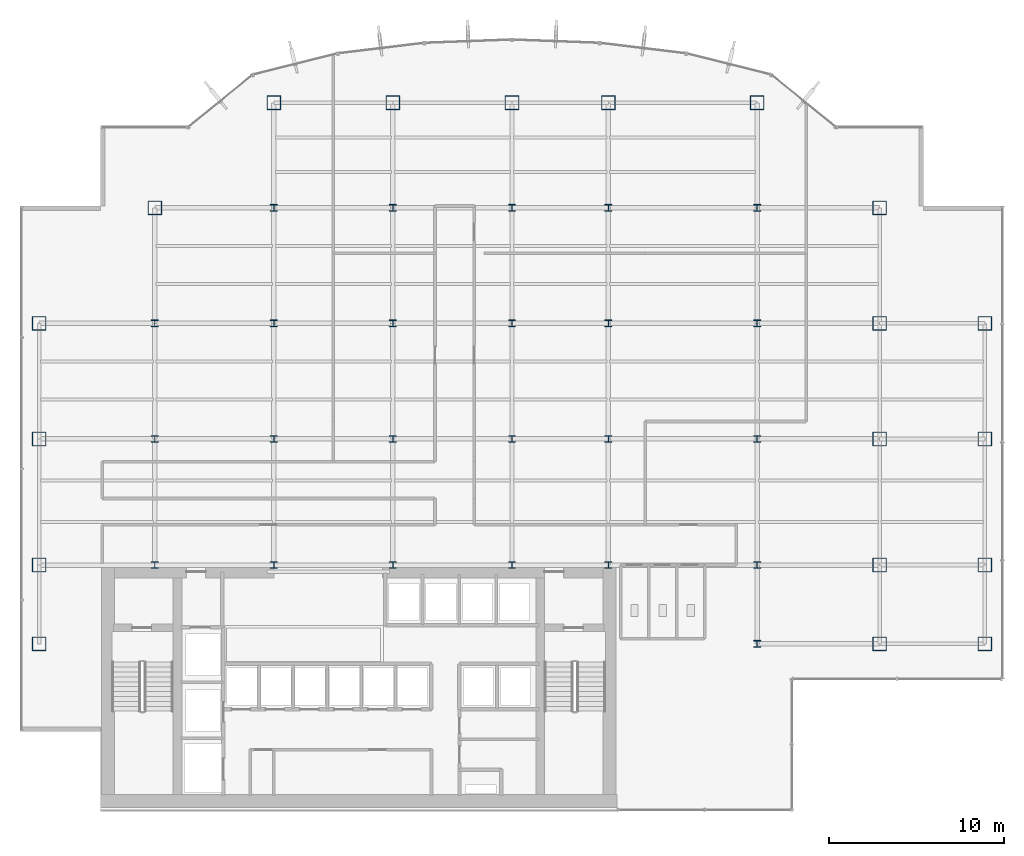
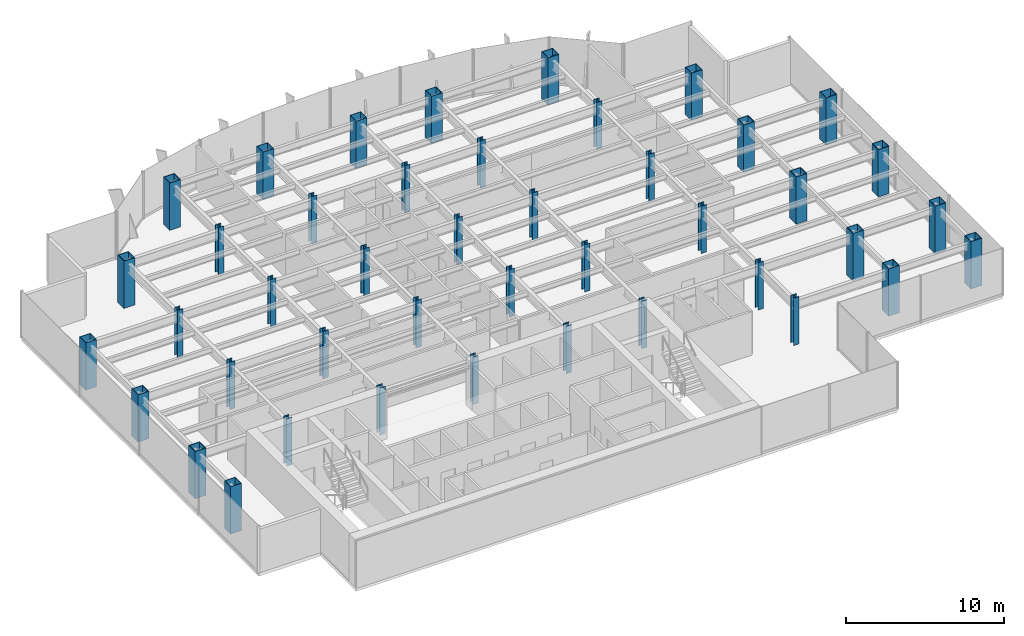
# One storey, part 1 of 26: 43 columns.
"""IFC4 building model written with IfcOpenShell, lengths in metres."""

from ifc_helpers import new_model, si_unit, derived_unit, direction, frame, origin, origin_2d, place, context, subcontext, project, spatial, hollow_rectangle, i_section, extrude, source, transform, mapped, material, material_profile, profile_set, type_object, element, save


model = new_model("IFC4")

# Units and contexts
model_context = context("Model", 3, precision=1e-05, world=origin(), true_north=direction((0.0, 1.0)))
body_context = subcontext(model_context, "Body", "Model", "MODEL_VIEW")
ifc_project = project(units=[si_unit("LENGTHUNIT", "METRE"), si_unit("AREAUNIT", "SQUARE_METRE"), si_unit("VOLUMEUNIT", "CUBIC_METRE"), si_unit("PLANEANGLEUNIT", "RADIAN"), si_unit("MASSUNIT", "GRAM", prefix="KILO"), derived_unit("THERMALTRANSMITTANCEUNIT", [(si_unit("POWERUNIT", "WATT"), 1), (si_unit("LENGTHUNIT", "METRE"), -2), (si_unit("THERMODYNAMICTEMPERATUREUNIT", "KELVIN"), -1)])], contexts=[model_context])

# Site, building, storey
site_placement = place(None, origin())
site = spatial("IfcSite", under=ifc_project, at=site_placement, CompositionType="ELEMENT")
building_placement = place(site_placement, origin())
building = spatial("IfcBuilding", under=site, at=building_placement, Name="Skarnbrae Concourse Arena and Tower", CompositionType="ELEMENT")
storey_placement = place(building_placement, frame((0.0, 0.0, 132.449951171875)))
storey = spatial("IfcBuildingStorey", under=building, at=storey_placement, Name="L33", CompositionType="ELEMENT", Elevation=132.449951171875)

# Columns
ifc_material = material(Name="Steel CSA G40.21 350W", Category="steel")
ifc_material_profile_1 = material_profile(ifc_material, hollow_rectangle(XDim=0.800048828125, YDim=0.800048828125, WallThickness=0.0400390625, at=origin_2d()), Name="BOX800X800X40")
ifc_profile_set_1 = profile_set([ifc_material_profile_1], Name="Steel CSA G40.21 350W")
column_type_1 = type_object("IfcColumnType", Name="COL-TUBE-BOX800", PredefinedType="COLUMN", material=ifc_profile_set_1)
shared_shape_1 = source(origin(), body_context, "Body", "SweptSolid", [
    extrude(hollow_rectangle(XDim=0.800048828125, YDim=0.800048828125, WallThickness=0.0400390625, at=origin_2d()), origin(), (0.0, 0.0, 1.0), 3.650146484375),
])
for number, where, z_axis, x_axis, name in (
    (1, (1.0, 9.5, 0.0), (0.0, 0.0, 1.0), (1.0, 0.0, 0.0), "L33 Tower column PC_01_01"),
    (2, (1.0, 14.0, 0.0), (0.0, 0.0, 1.0), (1.0, 0.0, 0.0), "L33 Tower column PC_01_02"),
    (3, (1.0, 21.199951171875, 0.0), (0.0, 0.0, 1.0), (1.0, 0.0, 0.0), "L33 Tower column PC_01_03"),
    (4, (1.0, 27.800048828125, 0.0), (0.0, 0.0, 1.0), (1.0, 0.0, 0.0), "L33 Tower column PC_01_04"),
    (5, (7.60009765625, 34.39990234375, 0.0), (0.0, 0.0, 1.0), (1.0, 0.0, 0.0), "L33 Tower column PC_02_05"),
    (6, (14.39990234375, 40.39990234375, 0.0), (0.0, 0.0, 1.0), (1.0, 0.0, 0.0), "L33 Tower column PC_03_06"),
    (7, (21.199951171875, 40.39990234375, 0.0), (0.0, 0.0, 1.0), (1.0, 0.0, 0.0), "L33 Tower column PC_04_06"),
    (8, (28.0, 40.39990234375, 0.0), (0.0, 0.0, 1.0), (1.0, 0.0, 0.0), "L33 Tower column PC_05_06"),
    (9, (33.5, 40.39990234375, 0.0), (0.0, 0.0, 1.0), (1.0, 0.0, 0.0), "L33 Tower column PC_06_06"),
    (10, (42.0, 40.39990234375, 0.0), (0.0, 0.0, 1.0), (1.0, 0.0, 0.0), "L33 Tower column PC_07_06"),
    (11, (49.0, 9.5, 0.0), (0.0, 0.0, 1.0), (1.0, 0.0, 0.0), "L33 Tower column PC_08_01"),
    (12, (49.0, 14.0, 0.0), (0.0, 0.0, 1.0), (1.0, 0.0, 0.0), "L33 Tower column PC_08_02"),
    (13, (49.0, 21.199951171875, 0.0), (0.0, 0.0, 1.0), (1.0, 0.0, 0.0), "L33 Tower column PC_08_03"),
    (14, (49.0, 27.800048828125, 0.0), (0.0, 0.0, 1.0), (1.0, 0.0, 0.0), "L33 Tower column PC_08_04"),
    (15, (49.0, 34.39990234375, 0.0), (0.0, 0.0, 1.0), (1.0, 0.0, 0.0), "L33 Tower column PC_08_05"),
    (16, (55.0, 9.5, 0.0), (0.0, 0.0, 1.0), (1.0, 0.0, 0.0), "L33 Tower column PC_09_01"),
    (17, (55.0, 14.0, 0.0), (0.0, 0.0, 1.0), (1.0, 0.0, 0.0), "L33 Tower column PC_09_02"),
    (18, (55.0, 21.199951171875, 0.0), (0.0, 0.0, 1.0), (1.0, 0.0, 0.0), "L33 Tower column PC_09_03"),
    (19, (55.0, 27.800048828125, 0.0), (0.0, 0.0, 1.0), (1.0, 0.0, 0.0), "L33 Tower column PC_09_04"),
):
    element("IfcColumn", number, at=place(storey_placement, frame(where, z_axis=z_axis, x_axis=x_axis)), inside=storey, type_object=column_type_1, Name=name, PredefinedType="COLUMN", context=body_context, shape_type="MappedRepresentation", body=[
        mapped(shared_shape_1, transform((0.0, 0.0, 0.0))),
    ])
ifc_material_profile_2 = material_profile(ifc_material, i_section(OverallWidth=0.39892578125, OverallDepth=0.39306640625, WebThickness=0.022705078125, FlangeThickness=0.03662109375, at=origin_2d()), Name="W360X287")
ifc_profile_set_2 = profile_set([ifc_material_profile_2], Name="Steel CSA G40.21 350W")
column_type_2 = type_object("IfcColumnType", Name="COL-INT-W360X287", PredefinedType="COLUMN", material=ifc_profile_set_2)
shared_shape_2 = source(origin(), body_context, "Body", "SweptSolid", [
    extrude(i_section(OverallWidth=0.39892578125, OverallDepth=0.39306640625, WebThickness=0.022705078125, FlangeThickness=0.03662109375, at=origin_2d()), origin(), (0.0, 0.0, 1.0), 3.650146484375),
])
for number, where, z_axis, x_axis, name in (
    (20, (7.60009765625, 14.0, 0.0), (0.0, 0.0, 1.0), (1.0, 0.0, 0.0), "L33 Tower column IC_02_02"),
    (21, (7.60009765625, 21.199951171875, 0.0), (0.0, 0.0, 1.0), (1.0, 0.0, 0.0), "L33 Tower column IC_02_03"),
    (22, (7.60009765625, 27.800048828125, 0.0), (0.0, 0.0, 1.0), (1.0, 0.0, 0.0), "L33 Tower column IC_02_04"),
    (23, (14.39990234375, 14.0, 0.0), (0.0, 0.0, 1.0), (1.0, 0.0, 0.0), "L33 Tower column IC_03_02"),
    (24, (14.39990234375, 21.199951171875, 0.0), (0.0, 0.0, 1.0), (1.0, 0.0, 0.0), "L33 Tower column IC_03_03"),
    (25, (14.39990234375, 27.800048828125, 0.0), (0.0, 0.0, 1.0), (1.0, 0.0, 0.0), "L33 Tower column IC_03_04"),
    (26, (14.39990234375, 34.39990234375, 0.0), (0.0, 0.0, 1.0), (1.0, 0.0, 0.0), "L33 Tower column IC_03_05"),
    (27, (21.199951171875, 14.0, 0.0), (0.0, 0.0, 1.0), (1.0, 0.0, 0.0), "L33 Tower column IC_04_02"),
    (28, (21.199951171875, 21.199951171875, 0.0), (0.0, 0.0, 1.0), (1.0, 0.0, 0.0), "L33 Tower column IC_04_03"),
    (29, (21.199951171875, 27.800048828125, 0.0), (0.0, 0.0, 1.0), (1.0, 0.0, 0.0), "L33 Tower column IC_04_04"),
    (30, (21.199951171875, 34.39990234375, 0.0), (0.0, 0.0, 1.0), (1.0, 0.0, 0.0), "L33 Tower column IC_04_05"),
    (31, (28.0, 14.0, 0.0), (0.0, 0.0, 1.0), (1.0, 0.0, 0.0), "L33 Tower column IC_05_02"),
    (32, (28.0, 21.199951171875, 0.0), (0.0, 0.0, 1.0), (1.0, 0.0, 0.0), "L33 Tower column IC_05_03"),
    (33, (28.0, 27.800048828125, 0.0), (0.0, 0.0, 1.0), (1.0, 0.0, 0.0), "L33 Tower column IC_05_04"),
    (34, (28.0, 34.39990234375, 0.0), (0.0, 0.0, 1.0), (1.0, 0.0, 0.0), "L33 Tower column IC_05_05"),
    (35, (33.5, 14.0, 0.0), (0.0, 0.0, 1.0), (1.0, 0.0, 0.0), "L33 Tower column IC_06_02"),
    (36, (33.5, 21.199951171875, 0.0), (0.0, 0.0, 1.0), (1.0, 0.0, 0.0), "L33 Tower column IC_06_03"),
    (37, (33.5, 27.800048828125, 0.0), (0.0, 0.0, 1.0), (1.0, 0.0, 0.0), "L33 Tower column IC_06_04"),
    (38, (33.5, 34.39990234375, 0.0), (0.0, 0.0, 1.0), (1.0, 0.0, 0.0), "L33 Tower column IC_06_05"),
    (39, (42.0, 9.5, 0.0), (0.0, 0.0, 1.0), (1.0, 0.0, 0.0), "L33 Tower column IC_07_01"),
    (40, (42.0, 14.0, 0.0), (0.0, 0.0, 1.0), (1.0, 0.0, 0.0), "L33 Tower column IC_07_02"),
    (41, (42.0, 21.199951171875, 0.0), (0.0, 0.0, 1.0), (1.0, 0.0, 0.0), "L33 Tower column IC_07_03"),
    (42, (42.0, 27.800048828125, 0.0), (0.0, 0.0, 1.0), (1.0, 0.0, 0.0), "L33 Tower column IC_07_04"),
    (43, (42.0, 34.39990234375, 0.0), (0.0, 0.0, 1.0), (1.0, 0.0, 0.0), "L33 Tower column IC_07_05"),
):
    element("IfcColumn", number, at=place(storey_placement, frame(where, z_axis=z_axis, x_axis=x_axis)), inside=storey, type_object=column_type_2, Name=name, PredefinedType="COLUMN", context=body_context, shape_type="MappedRepresentation", body=[
        mapped(shared_shape_2, transform((0.0, 0.0, 0.0))),
    ])

save(model, "model.ifc")
